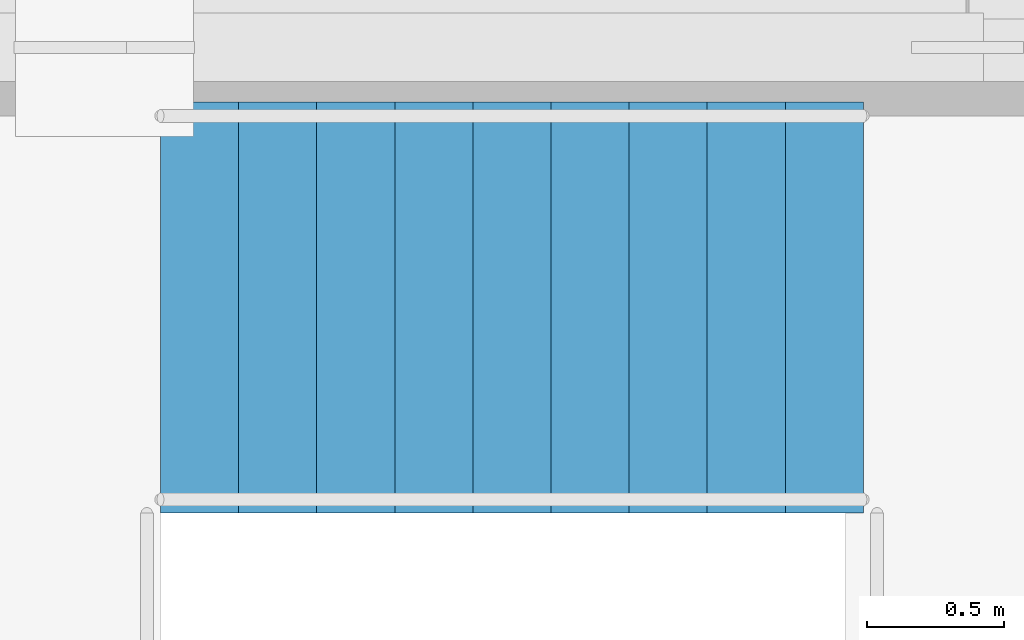
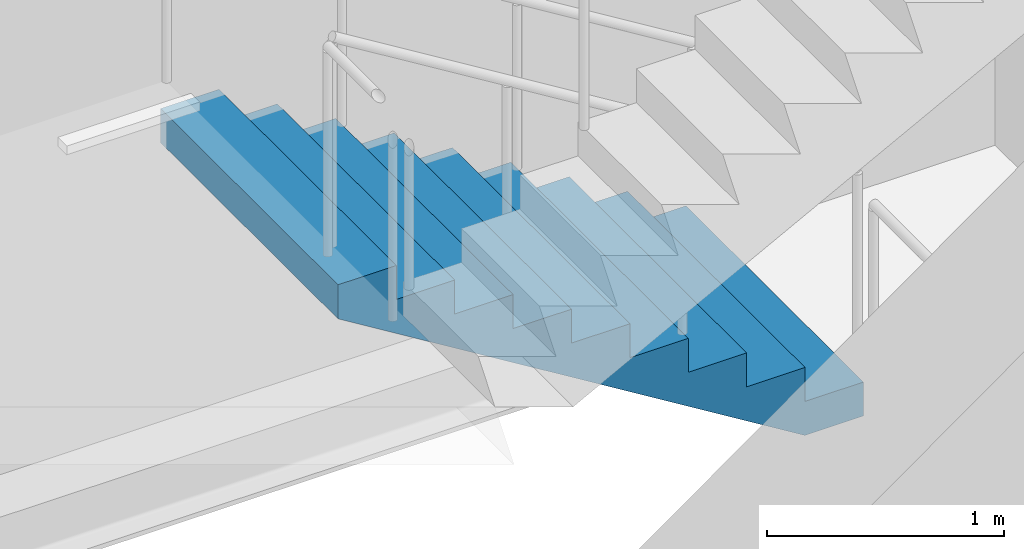
# One storey, part 22 of 23: 1 stair flight, 1 element without a shape of its own.
"""IFC4 building model written with IfcOpenShell, lengths in metres."""

from ifc_helpers import new_model, si_unit, direction, frame, origin, place, context, subcontext, project, spatial, polyline, outline, extrude, material, type_object, element, aggregate, save


model = new_model("IFC4")

# Units and contexts
model_context = context("Model", 3, precision=1e-05, world=origin(), true_north=direction((0.0, 1.0)))
body_context = subcontext(model_context, "Body", "Model", "MODEL_VIEW")
ifc_project = project(units=[si_unit("LENGTHUNIT", "METRE"), si_unit("AREAUNIT", "SQUARE_METRE"), si_unit("VOLUMEUNIT", "CUBIC_METRE"), si_unit("PLANEANGLEUNIT", "RADIAN"), si_unit("MASSUNIT", "GRAM", prefix="KILO")], contexts=[model_context])

# Site, building, storey
site_placement = place(None, origin())
site = spatial("IfcSite", under=ifc_project, at=site_placement, CompositionType="ELEMENT")
building_placement = place(site_placement, origin())
building = spatial("IfcBuilding", under=site, at=building_placement, Name="Cobrela Telecom Tower", CompositionType="ELEMENT")
storey_placement = place(building_placement, frame((0.0, 0.0, 265.64990234375)))
storey = spatial("IfcBuildingStorey", under=building, at=storey_placement, Name="L69", CompositionType="ELEMENT", Elevation=265.64990234375)

# Stair, stair flight
ifc_material = material(Name="Concrete C40/50", Category="concrete")
stair_type = type_object("IfcStairType", Name="STAIR-CORE", PredefinedType="HALF_TURN_STAIR", material=ifc_material)
stair_placement = place(storey_placement, origin())
stair = element("IfcStair", 1, at=stair_placement, inside=storey, type_object=stair_type, Name="L69 Smokeproof Exit Stair ST1", PredefinedType="HALF_TURN_STAIR")
stair_flight_type = type_object("IfcStairFlightType", Name="FLIGHT-CORE", PredefinedType="STRAIGHT", material=ifc_material)
stair_flight_placement = place(storey_placement, frame((6.820068359375, 34.800048828125, 0.0), z_axis=(0.0, 0.0, 1.0), x_axis=(-1.0, 0.0, 0.0)))
stair_flight = element("IfcStairFlight", 2, at=stair_flight_placement, type_object=stair_flight_type, Name="ST1 flight 1", NumberOfRisers=10, NumberOfTreads=9, PredefinedType="STRAIGHT", RiserHeight=0.175, TreadLength=0.285, context=body_context, shape_type="SweptSolid", body=[
    extrude(outline(polyline([(0.0, 0.0), (0.0, 0.175048828125), (0.284912109375, 0.175048828125), (0.284912109375, 0.35009765625), (0.570068359375, 0.35009765625), (0.570068359375, 0.52490234375), (0.85498046875, 0.52490234375), (0.85498046875, 0.699951171875), (1.139892578125, 0.699951171875), (1.139892578125, 0.875), (1.425048828125, 0.875), (1.425048828125, 1.050048828125), (1.7099609375, 1.050048828125), (1.7099609375, 1.22509765625), (1.9951171875, 1.22509765625), (1.9951171875, 1.39990234375), (2.280029296875, 1.39990234375), (2.280029296875, 1.574951171875), (2.56494140625, 1.574951171875), (2.56494140625, 1.75), (2.56494140625, 1.399169921875), (0.286376953125, 0.0), (0.0, 0.0)])), frame((0.0, 0.75, 0.0), z_axis=(0.0, -1.0, 0.0), x_axis=(1.0, 0.0, 0.0)), (0.0, 0.0, 1.0), 1.5),
])
aggregate(stair, [stair_flight])

save(model, "model.ifc")
